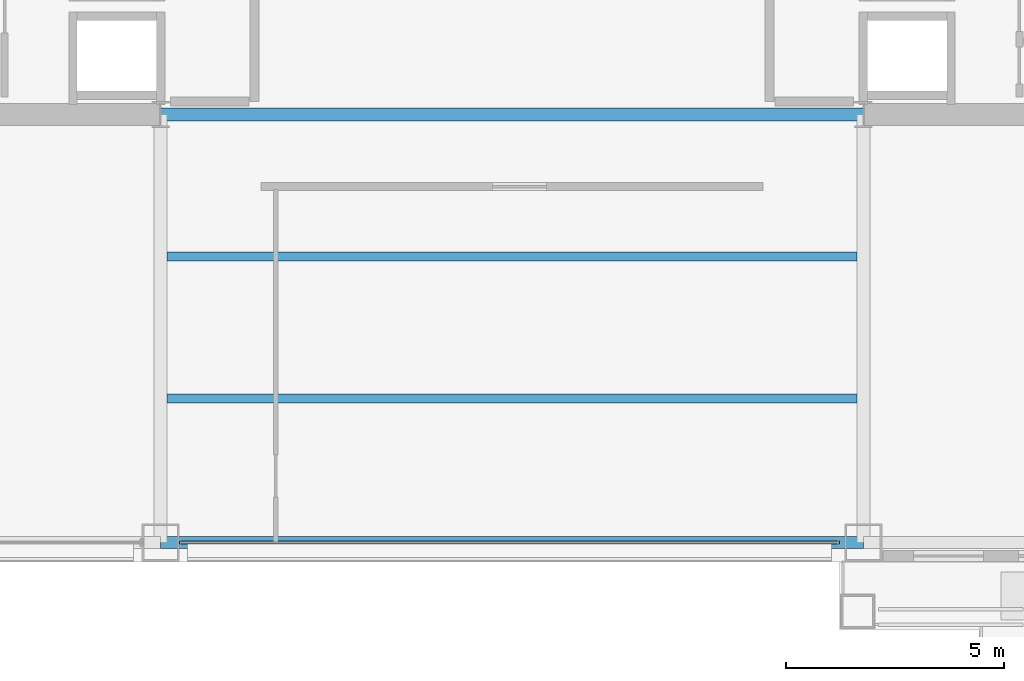
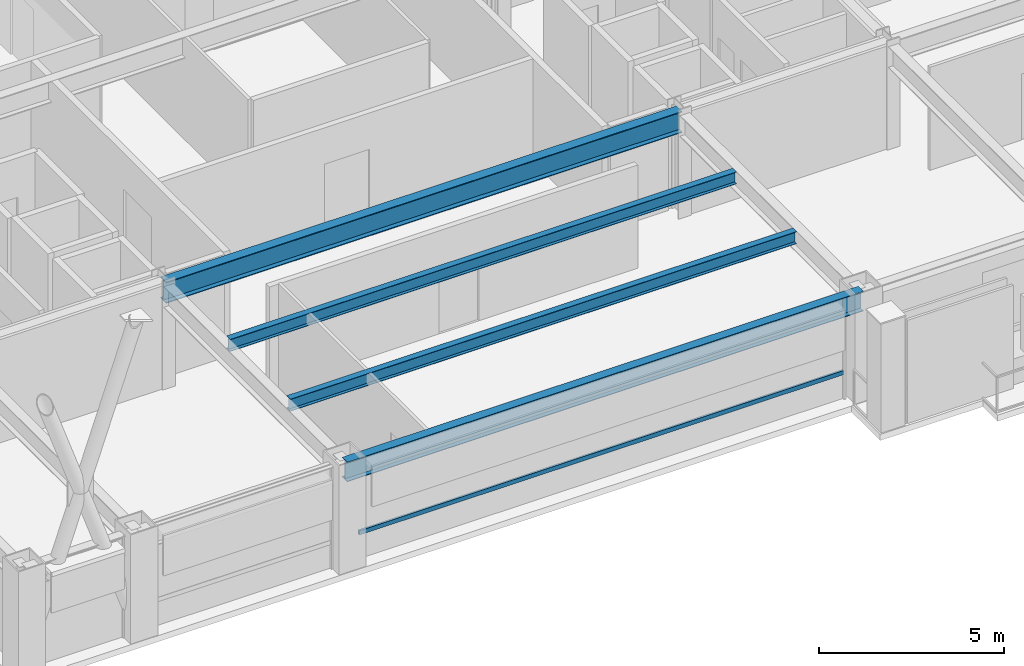
# One storey, part 6 of 32: 4 beams, 1 member, 1 element without a shape of its own.
"""IFC4 building model written with IfcOpenShell, lengths in metres."""

from ifc_helpers import new_model, si_unit, direction, frame, origin, origin_2d, place, context, subcontext, project, spatial, hollow_rectangle, i_section, extrude, material, layer, layer_set, material_profile, profile_set, type_object, element, aggregate, save


model = new_model("IFC4")

# Units and contexts
model_context = context("Model", 3, precision=1e-05, world=origin(), true_north=direction((0.0, 1.0)))
body_context = subcontext(model_context, "Body", "Model", "MODEL_VIEW")
ifc_project = project(units=[si_unit("LENGTHUNIT", "METRE"), si_unit("AREAUNIT", "SQUARE_METRE"), si_unit("VOLUMEUNIT", "CUBIC_METRE"), si_unit("PLANEANGLEUNIT", "RADIAN"), si_unit("MASSUNIT", "GRAM", prefix="KILO")], contexts=[model_context])

# Site, building, storey
site_placement = place(None, origin())
site = spatial("IfcSite", under=ifc_project, at=site_placement, CompositionType="ELEMENT")
building_placement = place(site_placement, origin())
building = spatial("IfcBuilding", under=site, at=building_placement, Name="Brelmoor Portico Tower", CompositionType="ELEMENT")
storey_placement = place(building_placement, frame((0.0, 0.0, 109.800048828125)))
storey = spatial("IfcBuildingStorey", under=building, at=storey_placement, Name="L28", CompositionType="ELEMENT", Elevation=109.800048828125)

# Beams
ifc_material_1 = material(Name="Steel Q355B", Category="steel")
ifc_material_profile_1 = material_profile(ifc_material_1, i_section(OverallWidth=0.199951171875, OverallDepth=0.39990234375, WebThickness=0.008056640625, FlangeThickness=0.012939453125, at=origin_2d()), Name="HN 400x200x8x13")
ifc_profile_set_1 = profile_set([ifc_material_profile_1], Name="Steel Q355B")
beam_type_1 = type_object("IfcBeamType", Name="BM-JS-400", PredefinedType="JOIST", material=ifc_profile_set_1)
for number, where, z_axis, x_axis, name in (
    (1, (-7.89990234375, -16.25, 3.199951171875), (1.0, 0.0, 0.0), (0.0, 1.0, 0.0), "L28 Secondary Composite Joist JS-C01"),
    (2, (-7.89990234375, -13.0, 3.199951171875), (1.0, 0.0, 0.0), (0.0, 1.0, 0.0), "L28 Secondary Composite Joist JS-C02"),
):
    element("IfcBeam", number, at=place(storey_placement, frame(where, z_axis=z_axis, x_axis=x_axis)), inside=storey, type_object=beam_type_1, Name=name, PredefinedType="JOIST", context=body_context, shape_type="SweptSolid", body=[
        extrude(i_section(OverallWidth=0.199951171875, OverallDepth=0.39990234375, WebThickness=0.008056640625, FlangeThickness=0.012939453125, at=origin_2d()), origin(), (0.0, 0.0, 1.0), 15.7998046875),
    ])
ifc_material_profile_2 = material_profile(ifc_material_1, i_section(OverallWidth=0.300048828125, OverallDepth=0.699951171875, WebThickness=0.012939453125, FlangeThickness=0.02392578125, at=origin_2d()), Name="HN 700x300x13x24")
ifc_profile_set_2 = profile_set([ifc_material_profile_2], Name="Steel Q355B")
beam_type_2 = type_object("IfcBeamType", Name="BM-PG-700", PredefinedType="BEAM", material=ifc_profile_set_2)
beam_1_placement = place(storey_placement, frame((-8.050048828125, -9.75, 3.050048828125), z_axis=(1.0, 0.0, 0.0), x_axis=(0.0, 1.0, 0.0)))
element("IfcBeam", 3, at=beam_1_placement, inside=storey, type_object=beam_type_2, Name="L28 Primary Floor Girder PG-16", PredefinedType="BEAM", context=body_context, shape_type="SweptSolid", body=[
    extrude(i_section(OverallWidth=0.300048828125, OverallDepth=0.699951171875, WebThickness=0.012939453125, FlangeThickness=0.02392578125, at=origin_2d()), origin(), (0.0, 0.0, 1.0), 16.10009765625),
])
ifc_material_profile_3 = material_profile(ifc_material_1, i_section(OverallWidth=0.280029296875, OverallDepth=0.64990234375, WebThickness=0.012939453125, FlangeThickness=0.02197265625, at=origin_2d()), Name="HN 650x280x13x22")
ifc_profile_set_3 = profile_set([ifc_material_profile_3], Name="Steel Q355B")
beam_type_3 = type_object("IfcBeamType", Name="BM-SP-650", PredefinedType="SPANDREL", material=ifc_profile_set_3)
beam_2_placement = place(storey_placement, frame((-8.050048828125, -19.550048828125, 3.074951171875), z_axis=(1.0, 0.0, 0.0), x_axis=(0.0, 1.0, 0.0)))
element("IfcBeam", 4, at=beam_2_placement, inside=storey, type_object=beam_type_3, Name="L28 Perimeter Spandrel Beam SP-03", PredefinedType="SPANDREL", context=body_context, shape_type="SweptSolid", body=[
    extrude(i_section(OverallWidth=0.280029296875, OverallDepth=0.64990234375, WebThickness=0.012939453125, FlangeThickness=0.02197265625, at=origin_2d()), origin(), (0.0, 0.0, 1.0), 16.10009765625),
])

# Curtain wall, member
ifc_material_2 = material(Name="Anodised Aluminium Alloy 6063-T6", Category="aluminium")
ifc_layer = layer(ifc_material_2, 0.179931640625)
ifc_layer_set = layer_set([ifc_layer], Name="Anodised Aluminium Alloy 6063-T6")
curtain_wall_type = type_object("IfcCurtainWallType", Name="CW-TOWER-Z2", PredefinedType="NOTDEFINED", material=ifc_layer_set)
curtain_wall_placement = place(storey_placement, origin())
curtain_wall = element("IfcCurtainWall", 5, at=curtain_wall_placement, inside=storey, type_object=curtain_wall_type, Name="L28 Curtain Wall CW-L28-1L-3", PredefinedType="NOTDEFINED")
ifc_material_profile_4 = material_profile(ifc_material_2, hollow_rectangle(XDim=0.06494140625, YDim=0.139892578125, WallThickness=0.00390625, at=origin_2d()), Name="ALU TRANSOM 65x140")
ifc_profile_set_4 = profile_set([ifc_material_profile_4], Name="Anodised Aluminium Alloy 6063-T6")
member_type = type_object("IfcMemberType", Name="MB-CW-TRAN-140", PredefinedType="USERDEFINED", material=ifc_profile_set_4)
member_placement = place(storey_placement, frame((-7.614990234375, -19.550048828125, 0.849853515625), z_axis=(1.0, 0.0, 0.0), x_axis=(0.0, 1.0, 0.0)))
member = element("IfcMember", 6, at=member_placement, type_object=member_type, Name="CW-L28-1L-3 Transom 1-00", ObjectType="TRANSOM", PredefinedType="USERDEFINED", context=body_context, shape_type="SweptSolid", body=[
    extrude(hollow_rectangle(XDim=0.06494140625, YDim=0.139892578125, WallThickness=0.00390625, at=origin_2d()), origin(), (0.0, 0.0, 1.0), 15.114990234375),
])
aggregate(curtain_wall, [member])

save(model, "model.ifc")
